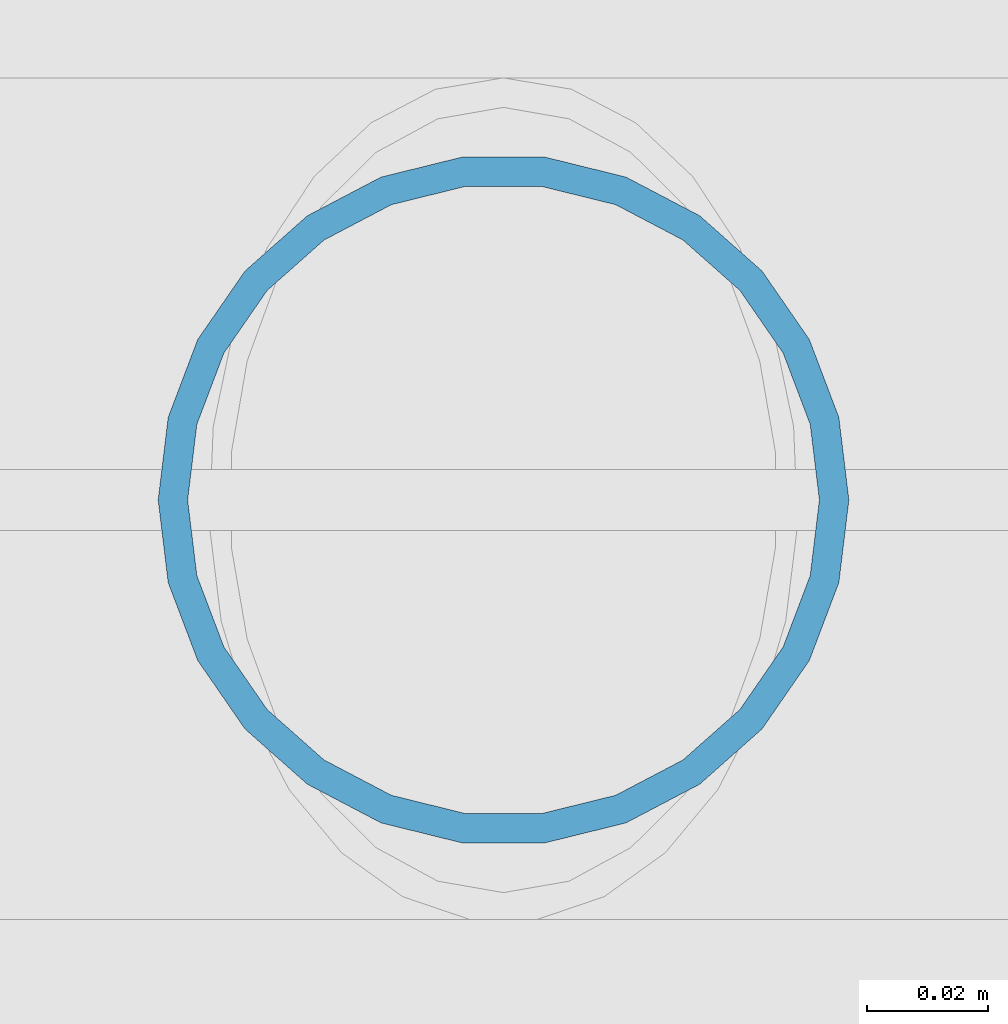
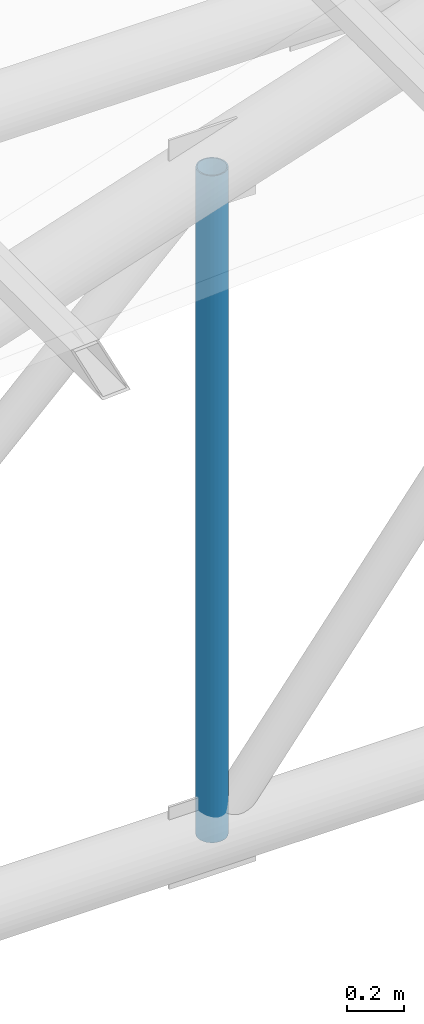
# One storey, part 25 of 95: 1 member.
"""IFC4 building model written with IfcOpenShell, lengths in metres."""

from ifc_helpers import new_model, si_unit, direction, frame, origin, origin_2d, place, context, subcontext, project, spatial, hollow_circle, extrude, material, material_profile, profile_set, type_object, element, save


model = new_model("IFC4")

# Units and contexts
model_context = context("Model", 3, precision=1e-05, world=origin(), true_north=direction((0.0, 1.0)))
body_context = subcontext(model_context, "Body", "Model", "MODEL_VIEW")
ifc_project = project(units=[si_unit("LENGTHUNIT", "METRE"), si_unit("AREAUNIT", "SQUARE_METRE"), si_unit("VOLUMEUNIT", "CUBIC_METRE"), si_unit("PLANEANGLEUNIT", "RADIAN"), si_unit("MASSUNIT", "GRAM", prefix="KILO")], contexts=[model_context])

# Site, building, storey
site_placement = place(None, origin())
site = spatial("IfcSite", under=ifc_project, at=site_placement, CompositionType="ELEMENT")
building_placement = place(site_placement, origin())
building = spatial("IfcBuilding", under=site, at=building_placement, Name="Kiln Court Media Centre", CompositionType="ELEMENT")
storey_placement = place(building_placement, frame((0.0, 0.0, 24.60009765625)))
storey = spatial("IfcBuildingStorey", under=building, at=storey_placement, Name="L05", CompositionType="ELEMENT", Elevation=24.60009765625)

# Member
ifc_material = material(Name="Steel ASTM A500 Gr C", Category="steel")
ifc_material_profile = material_profile(ifc_material, hollow_circle(Radius=0.05712890625, WallThickness=0.0048828125, at=origin_2d()), Name="CHS 114.3x5.0")
ifc_profile_set = profile_set([ifc_material_profile], Name="Steel ASTM A500 Gr C")
member_type = type_object("IfcMemberType", Name="Steel ASTM A500 Gr C CHS 114.3x5.0 truss web", PredefinedType="BRACE", material=ifc_profile_set)
member_placement = place(storey_placement, frame((43.487548828125, 46.199951171875, -0.013916015625), z_axis=(0.0, 0.0, 1.0), x_axis=(1.0, 0.0, 0.0)))
element("IfcMember", 1, at=member_placement, inside=storey, type_object=member_type, Name="foyer truss FT-06 post 3 truss web", PredefinedType="BRACE", context=body_context, shape_type="SweptSolid", body=[
    extrude(hollow_circle(Radius=0.05712890625, WallThickness=0.0048828125, at=origin_2d()), origin(), (0.0, 0.0, 1.0), 2.839111328125),
])

save(model, "model.ifc")
